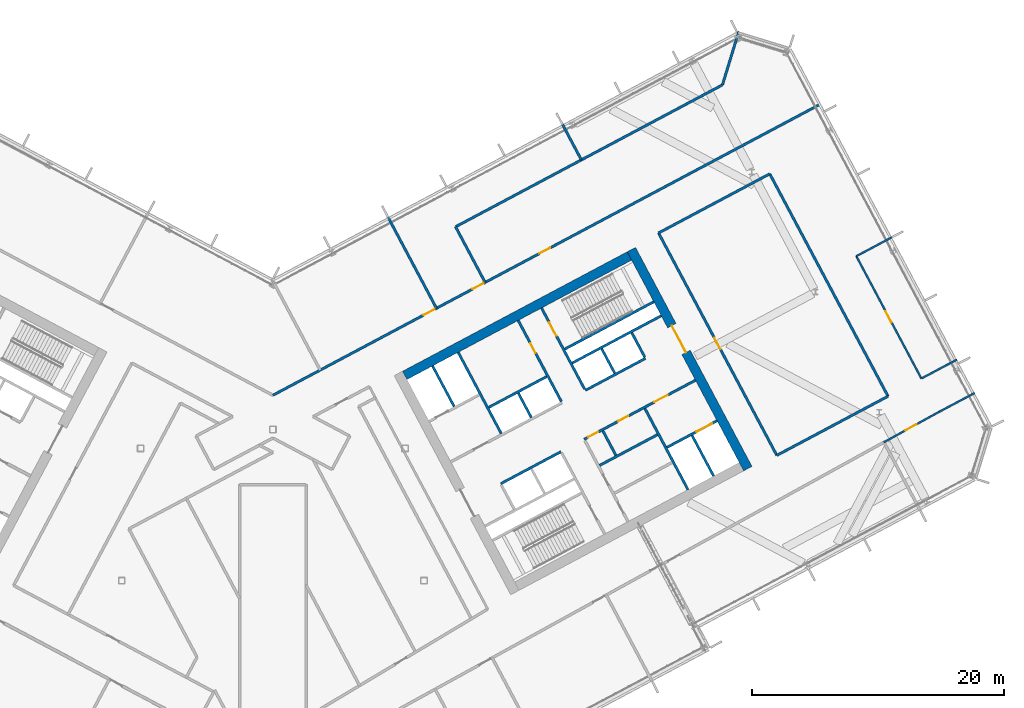
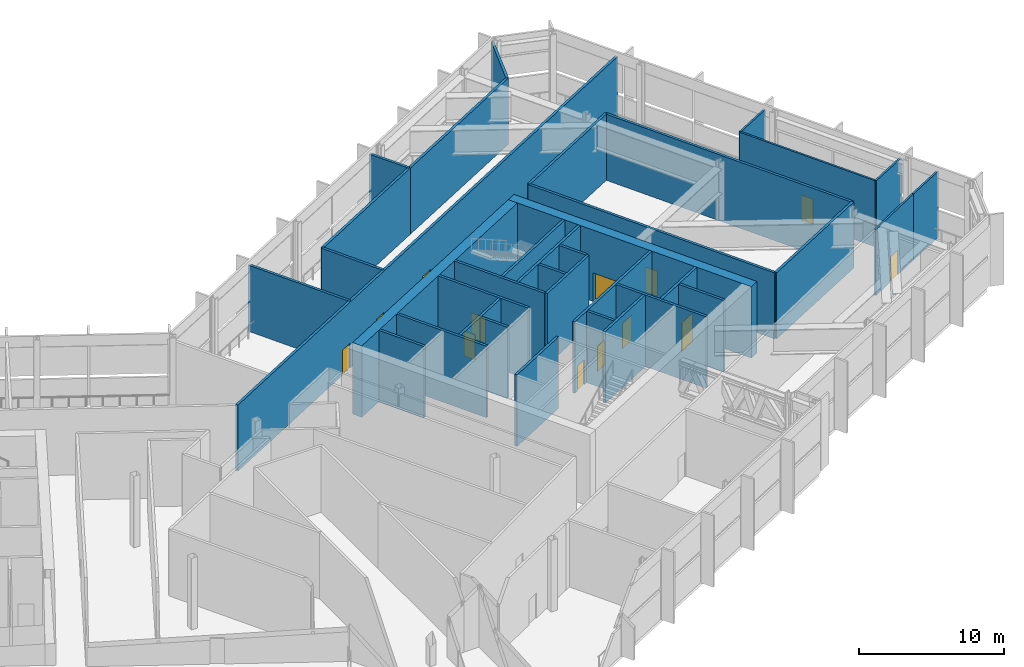
# One storey, part 17 of 33: 36 walls, 13 doors, 13 openings.
"""IFC4 building model written with IfcOpenShell, lengths in metres."""

from ifc_helpers import new_model, si_unit, direction, frame, frame_2d, origin, place, context, subcontext, project, spatial, rectangle, extrude, material, layer, layer_set, type_object, element, fill, save


model = new_model("IFC4")

# Units and contexts
model_context = context("Model", 3, precision=1e-05, world=origin(), true_north=direction((0.0, 1.0)))
body_context = subcontext(model_context, "Body", "Model", "MODEL_VIEW")
ifc_project = project(units=[si_unit("LENGTHUNIT", "METRE"), si_unit("AREAUNIT", "SQUARE_METRE"), si_unit("VOLUMEUNIT", "CUBIC_METRE"), si_unit("PLANEANGLEUNIT", "RADIAN"), si_unit("MASSUNIT", "GRAM", prefix="KILO")], contexts=[model_context])

# Site, building, storey
site_placement = place(None, origin())
site = spatial("IfcSite", under=ifc_project, at=site_placement, CompositionType="ELEMENT")
building_placement = place(site_placement, origin())
building = spatial("IfcBuilding", under=site, at=building_placement, Name="Cormorant Relay Tower", CompositionType="ELEMENT")
storey_placement = place(building_placement, frame((0.0, 0.0, 183.60009765625)))
storey = spatial("IfcBuildingStorey", under=building, at=storey_placement, Name="L39", CompositionType="ELEMENT", Elevation=183.60009765625)

# Walls
ifc_material_1 = material(Name="Concrete 40 MPa", Category="concrete")
ifc_layer_1 = layer(ifc_material_1, 0.199951171875)
ifc_layer_set_1 = layer_set([ifc_layer_1], Name="Core internal wall 200")
wall_type_1 = type_object("IfcWallType", Name="Core internal wall 200", PredefinedType="SOLIDWALL", material=ifc_layer_set_1)
for number, where, z_axis, x_axis, name in (
    (1, (20.522216796875, 12.950439453125, 0.0), (0.0, 0.0, 1.0), (-0.469401318492, 0.882984938828, 0.0), "L39 core B shaft and room wall"),
    (2, (27.236083984375, 9.951416015625, 0.0), (0.0, 0.0, 1.0), (-0.4694473164, 0.882960484464, 0.0), "L39 core B shaft and room wall"),
    (3, (27.144287109375, 16.471435546875, 0.0), (0.0, 0.0, 1.0), (-0.469401318492, 0.882984938828, 0.0), "L39 core B shaft and room wall"),
):
    element("IfcWall", number, at=place(storey_placement, frame(where, z_axis=z_axis, x_axis=x_axis)), inside=storey, type_object=wall_type_1, Name=name, PredefinedType="SOLIDWALL", context=body_context, shape_type="SweptSolid", body=[
        extrude(rectangle(XDim=2.199951171875, YDim=0.199951171875, at=frame_2d((1.10009765625, 0.0))), origin(), (0.0, 0.0, 1.0), 6.0),
    ])
ifc_material_2 = material(Name="Concrete 50 MPa", Category="concrete")
ifc_layer_2 = layer(ifc_material_2, 0.199951171875)
ifc_layer_set_2 = layer_set([ifc_layer_2], Name="Core shaft wall 200")
wall_type_2 = type_object("IfcWallType", Name="Core shaft wall 200", PredefinedType="SHEAR", material=ifc_layer_set_2)
wall_1_placement = place(storey_placement, frame((14.39404296875, 13.825927734375, 0.0), z_axis=(0.0, 0.0, 1.0), x_axis=(-0.469494272526, 0.882935517501, 0.0)))
element("IfcWall", 4, at=wall_1_placement, inside=storey, type_object=wall_type_2, Name="L39 core B shaft wall", PredefinedType="SHEAR", context=body_context, shape_type="SweptSolid", body=[
    extrude(rectangle(XDim=3.64990234375, YDim=0.199951171875, at=frame_2d((1.824951171875, 0.0))), origin(), (0.0, 0.0, 1.0), 6.0),
])
wall_2_placement = place(storey_placement, frame((18.138427734375, 11.682861328125, 0.0), z_axis=(0.0, 0.0, 1.0), x_axis=(-0.469480409012, 0.88294288918, 0.0)))
element("IfcWall", 5, at=wall_2_placement, inside=storey, type_object=wall_type_2, Name="L39 core B shaft wall", PredefinedType="SHEAR", context=body_context, shape_type="SweptSolid", body=[
    extrude(rectangle(XDim=7.300048828125, YDim=0.199951171875, at=frame_2d((3.64990234375, 0.0))), origin(), (0.0, 0.0, 1.0), 6.0),
])

# Wall, opening, door
wall_3_placement = place(storey_placement, frame((22.90625, 14.218017578125, 0.0), z_axis=(0.0, 0.0, 1.0), x_axis=(-0.469480409012, 0.88294288918, 0.0)))
wall_3 = element("IfcWall", 6, at=wall_3_placement, inside=storey, type_object=wall_type_2, Name="L39 core B shaft wall", PredefinedType="SHEAR", context=body_context, shape_type="SweptSolid", body=[
    extrude(rectangle(XDim=7.300048828125, YDim=0.199951171875, at=frame_2d((3.64990234375, 0.0))), origin(), (0.0, 0.0, 1.0), 6.0),
])
opening_1_placement = place(wall_3_placement, frame((4.35009765625, 0.0, 0.0)))
opening_1 = element("IfcOpeningElement", 7, at=opening_1_placement, cuts=wall_3, Name="Opening CDD-229", PredefinedType="OPENING", context=body_context, shape_type="SweptSolid", body=[
    extrude(rectangle(XDim=0.89990234375, YDim=2.10009765625, at=frame_2d((0.449951171875, 1.050048828125))), frame((0.0, 0.10986328125, 0.0), z_axis=(0.0, -1.0, 0.0), x_axis=(1.0, 0.0, 0.0)), (0.0, 0.0, 1.0), 0.219970703125),
])
ifc_material_3 = material(Name="Steel fire door", Category="steel")
door_type_1 = type_object("IfcDoorType", Name="Core room door 900x2100", OperationType="SINGLE_SWING_LEFT", PredefinedType="DOOR", material=ifc_material_3)
door_1_placement = place(opening_1_placement, frame((0.89990234375, 0.0, 0.0), z_axis=(0.0, 0.0, 1.0), x_axis=(-1.0, 0.0, 0.0)))
door_1 = element("IfcDoor", 8, at=door_1_placement, inside=storey, type_object=door_type_1, Name="Core room door 900x2100", OperationType="SINGLE_SWING_RIGHT", OverallHeight=2.10009765625, OverallWidth=0.89990234375, PredefinedType="DOOR", context=body_context, shape_type="SweptSolid", body=[
    extrude(rectangle(XDim=0.89990234375, YDim=2.10009765625, at=frame_2d((0.449951171875, 1.050048828125))), frame((0.0, 0.02490234375, 0.0), z_axis=(0.0, -1.0, 0.0), x_axis=(1.0, 0.0, 0.0)), (0.0, 0.0, 1.0), 0.050048828125),
])
fill(opening_1, door_1)

wall_4_placement = place(storey_placement, frame((24.760498046875, 15.2041015625, 0.0), z_axis=(0.0, 0.0, 1.0), x_axis=(-0.469494272526, 0.882935517501, 0.0)))
wall_4 = element("IfcWall", 9, at=wall_4_placement, inside=storey, type_object=wall_type_2, Name="L39 core B shaft wall", PredefinedType="SHEAR", context=body_context, shape_type="SweptSolid", body=[
    extrude(rectangle(XDim=7.2998046875, YDim=0.199951171875, at=frame_2d((3.64990234375, 0.0))), origin(), (0.0, 0.0, 1.0), 6.0),
])
opening_2_placement = place(wall_4_placement, frame((4.800048828125, 0.0, 0.0)))
opening_2 = element("IfcOpeningElement", 10, at=opening_2_placement, cuts=wall_4, Name="Opening CDB-032", PredefinedType="OPENING", context=body_context, shape_type="SweptSolid", body=[
    extrude(rectangle(XDim=1.199951171875, YDim=2.10009765625, at=frame_2d((0.60009765625, 1.050048828125))), frame((0.0, 0.10986328125, 0.0), z_axis=(0.0, -1.0, 0.0), x_axis=(1.0, 0.0, 0.0)), (0.0, 0.0, 1.0), 0.219970703125),
])
ifc_material_4 = material(Name="Steel fire door", Category="steel")
door_type_2 = type_object("IfcDoorType", Name="Core stair door 1200x2100", OperationType="SINGLE_SWING_LEFT", PredefinedType="DOOR", material=ifc_material_4)
door_2_placement = place(opening_2_placement, frame((1.199951171875, 0.0, 0.0), z_axis=(0.0, 0.0, 1.0), x_axis=(-1.0, 0.0, 0.0)))
door_2 = element("IfcDoor", 11, at=door_2_placement, inside=storey, type_object=door_type_2, Name="Core stair door 1200x2100", OperationType="SINGLE_SWING_RIGHT", OverallHeight=2.10009765625, OverallWidth=1.199951171875, PredefinedType="DOOR", context=body_context, shape_type="SweptSolid", body=[
    extrude(rectangle(XDim=1.199951171875, YDim=2.10009765625, at=frame_2d((0.60009765625, 1.050048828125))), frame((0.0, 0.02490234375, 0.0), z_axis=(0.0, -1.0, 0.0), x_axis=(1.0, 0.0, 0.0)), (0.0, 0.0, 1.0), 0.050048828125),
])
fill(opening_2, door_2)

# Walls
wall_5_placement = place(storey_placement, frame((32.968017578125, 7.222900390625, 0.0), z_axis=(0.0, 0.0, 1.0), x_axis=(-0.469480409012, 0.88294288918, 0.0)))
element("IfcWall", 12, at=wall_5_placement, inside=storey, type_object=wall_type_2, Name="L39 core B shaft wall", PredefinedType="SHEAR", context=body_context, shape_type="SweptSolid", body=[
    extrude(rectangle(XDim=7.300048828125, YDim=0.199951171875, at=frame_2d((3.64990234375, 0.0))), origin(), (0.0, 0.0, 1.0), 6.0),
])
wall_6_placement = place(storey_placement, frame((29.5283203125, 17.739013671875, 0.0), z_axis=(0.0, 0.0, 1.0), x_axis=(-0.469401318492, 0.882984938828, 0.0)))
element("IfcWall", 13, at=wall_6_placement, inside=storey, type_object=wall_type_2, Name="L39 core B shaft wall", PredefinedType="SHEAR", context=body_context, shape_type="SweptSolid", body=[
    extrude(rectangle(XDim=2.199951171875, YDim=0.199951171875, at=frame_2d((1.10009765625, 0.0))), origin(), (0.0, 0.0, 1.0), 6.0),
])
wall_7_placement = place(storey_placement, frame((34.998779296875, 8.302734375, 0.0), z_axis=(0.0, 0.0, 1.0), x_axis=(-0.4694665462, 0.882950260207, 0.0)))
element("IfcWall", 14, at=wall_7_placement, inside=storey, type_object=wall_type_2, Name="L39 core B shaft wall", PredefinedType="SHEAR", context=body_context, shape_type="SweptSolid", body=[
    extrude(rectangle(XDim=3.650146484375, YDim=0.199951171875, at=frame_2d((1.8251953125, 0.0))), origin(), (0.0, 0.0, 1.0), 6.0),
])

# Wall, opening, door
wall_8_placement = place(storey_placement, frame((31.295654296875, 10.5810546875, 0.0), z_axis=(0.0, 0.0, 1.0), x_axis=(0.882960433586, 0.469447412093, 0.0)))
wall_8 = element("IfcWall", 15, at=wall_8_placement, inside=storey, type_object=wall_type_2, Name="L39 core B shaft wall", PredefinedType="SHEAR", context=body_context, shape_type="SweptSolid", body=[
    extrude(rectangle(XDim=4.5, YDim=0.199951171875, at=frame_2d((2.25, 0.0))), origin(), (0.0, 0.0, 1.0), 6.0),
])
opening_3_placement = place(wall_8_placement, frame((2.64990234375, 0.0, 0.0)))
opening_3 = element("IfcOpeningElement", 16, at=opening_3_placement, cuts=wall_8, Name="Opening LD3-012", PredefinedType="OPENING", context=body_context, shape_type="SweptSolid", body=[
    extrude(rectangle(XDim=1.39990234375, YDim=2.39990234375, at=frame_2d((0.699951171875, 1.199951171875))), frame((0.0, 0.10986328125, 0.0), z_axis=(0.0, -1.0, 0.0), x_axis=(1.0, 0.0, 0.0)), (0.0, 0.0, 1.0), 0.219970703125),
])
ifc_material_5 = material(Name="Stainless steel 316", Category="steel")
door_type_3 = type_object("IfcDoorType", Name="Lift landing door 1400x2400", OperationType="DOUBLE_DOOR_SLIDING", PredefinedType="DOOR", material=ifc_material_5)
door_3_placement = place(opening_3_placement, origin())
door_3 = element("IfcDoor", 17, at=door_3_placement, inside=storey, type_object=door_type_3, Name="SV2 landing door", OperationType="DOUBLE_DOOR_SLIDING", OverallHeight=2.39990234375, OverallWidth=1.39990234375, PredefinedType="DOOR", context=body_context, shape_type="SweptSolid", body=[
    extrude(rectangle(XDim=1.39990234375, YDim=2.39990234375, at=frame_2d((0.699951171875, 1.199951171875))), frame((0.0, 0.02490234375, 0.0), z_axis=(0.0, -1.0, 0.0), x_axis=(1.0, 0.0, 0.0)), (0.0, 0.0, 1.0), 0.050048828125),
])
fill(opening_3, door_3)

# Walls
wall_9_placement = place(storey_placement, frame((25.94091796875, 9.149658203125, 0.0), z_axis=(0.0, 0.0, 1.0), x_axis=(0.882953967957, 0.469459572775, 0.0)))
element("IfcWall", 18, at=wall_9_placement, inside=storey, type_object=wall_type_2, Name="L39 core B shaft wall", PredefinedType="SHEAR", context=body_context, shape_type="SweptSolid", body=[
    extrude(rectangle(XDim=5.199951171875, YDim=0.199951171875, at=frame_2d((2.60009765625, 0.0))), origin(), (0.0, 0.0, 1.0), 6.0),
])
wall_10_placement = place(storey_placement, frame((18.103759765625, 7.70068359375, 0.0), z_axis=(0.0, 0.0, 1.0), x_axis=(0.882952937579, 0.469461510692, 0.0)))
element("IfcWall", 19, at=wall_10_placement, inside=storey, type_object=wall_type_2, Name="L39 core B shaft wall", PredefinedType="SHEAR", context=body_context, shape_type="SweptSolid", body=[
    extrude(rectangle(XDim=5.400146484375, YDim=0.199951171875, at=frame_2d((2.7001953125, 0.0))), origin(), (0.0, 0.0, 1.0), 6.0),
])

# Wall, openings, doors
wall_11_placement = place(storey_placement, frame((24.72607421875, 11.2216796875, 0.0), z_axis=(0.0, 0.0, 1.0), x_axis=(0.882940221191, 0.469485426614, 0.0)))
wall_11 = element("IfcWall", 20, at=wall_11_placement, inside=storey, type_object=wall_type_2, Name="L39 core B shaft wall", PredefinedType="SHEAR", context=body_context, shape_type="SweptSolid", body=[
    extrude(rectangle(XDim=10.0, YDim=0.199951171875, at=frame_2d((5.0, 0.0))), origin(), (0.0, 0.0, 1.0), 6.0),
])
opening_4_placement = place(wall_11_placement, frame((6.300048828125, 0.0, 0.0)))
opening_4 = element("IfcOpeningElement", 21, at=opening_4_placement, cuts=wall_11, Name="Opening CDC-024", PredefinedType="OPENING", context=body_context, shape_type="SweptSolid", body=[
    extrude(rectangle(XDim=1.199951171875, YDim=2.10009765625, at=frame_2d((0.60009765625, 1.050048828125))), frame((0.0, 0.10986328125, 0.0), z_axis=(0.0, -1.0, 0.0), x_axis=(1.0, 0.0, 0.0)), (0.0, 0.0, 1.0), 0.219970703125),
])
opening_5_placement = place(wall_11_placement, frame((0.360107421875, 0.0, 0.0)))
opening_5 = element("IfcOpeningElement", 22, at=opening_5_placement, cuts=wall_11, Name="Opening CDD-227", PredefinedType="OPENING", context=body_context, shape_type="SweptSolid", body=[
    extrude(rectangle(XDim=0.89990234375, YDim=2.10009765625, at=frame_2d((0.449951171875, 1.050048828125))), frame((0.0, 0.10986328125, 0.0), z_axis=(0.0, -1.0, 0.0), x_axis=(1.0, 0.0, 0.0)), (0.0, 0.0, 1.0), 0.219970703125),
])
opening_6_placement = place(wall_11_placement, frame((3.06005859375, 0.0, 0.0)))
opening_6 = element("IfcOpeningElement", 23, at=opening_6_placement, cuts=wall_11, Name="Opening CDD-228", PredefinedType="OPENING", context=body_context, shape_type="SweptSolid", body=[
    extrude(rectangle(XDim=0.89990234375, YDim=2.10009765625, at=frame_2d((0.449951171875, 1.050048828125))), frame((0.0, 0.10986328125, 0.0), z_axis=(0.0, -1.0, 0.0), x_axis=(1.0, 0.0, 0.0)), (0.0, 0.0, 1.0), 0.219970703125),
])
ifc_material_6 = material(Name="Steel fire door", Category="steel")
door_type_4 = type_object("IfcDoorType", Name="Core lobby door 1200x2100", OperationType="SINGLE_SWING_LEFT", PredefinedType="DOOR", material=ifc_material_6)
door_4_placement = place(opening_4_placement, frame((1.199951171875, 0.0, 0.0), z_axis=(0.0, 0.0, 1.0), x_axis=(-1.0, 0.0, 0.0)))
door_4 = element("IfcDoor", 24, at=door_4_placement, inside=storey, type_object=door_type_4, Name="Core lobby door 1200x2100", OperationType="SINGLE_SWING_RIGHT", OverallHeight=2.10009765625, OverallWidth=1.199951171875, PredefinedType="DOOR", context=body_context, shape_type="SweptSolid", body=[
    extrude(rectangle(XDim=1.199951171875, YDim=2.10009765625, at=frame_2d((0.60009765625, 1.050048828125))), frame((0.0, 0.02490234375, 0.0), z_axis=(0.0, -1.0, 0.0), x_axis=(1.0, 0.0, 0.0)), (0.0, 0.0, 1.0), 0.050048828125),
])
fill(opening_4, door_4)
door_5_placement = place(opening_5_placement, frame((0.89990234375, 0.0, 0.0), z_axis=(0.0, 0.0, 1.0), x_axis=(-1.0, 0.0, 0.0)))
door_5 = element("IfcDoor", 25, at=door_5_placement, inside=storey, type_object=door_type_1, Name="Core room door 900x2100", OperationType="SINGLE_SWING_RIGHT", OverallHeight=2.10009765625, OverallWidth=0.89990234375, PredefinedType="DOOR", context=body_context, shape_type="SweptSolid", body=[
    extrude(rectangle(XDim=0.89990234375, YDim=2.10009765625, at=frame_2d((0.449951171875, 1.050048828125))), frame((0.0, 0.02490234375, 0.0), z_axis=(0.0, -1.0, 0.0), x_axis=(1.0, 0.0, 0.0)), (0.0, 0.0, 1.0), 0.050048828125),
])
fill(opening_5, door_5)
door_6_placement = place(opening_6_placement, frame((0.89990234375, 0.0, 0.0), z_axis=(0.0, 0.0, 1.0), x_axis=(-1.0, 0.0, 0.0)))
door_6 = element("IfcDoor", 26, at=door_6_placement, inside=storey, type_object=door_type_1, Name="Core room door 900x2100", OperationType="SINGLE_SWING_RIGHT", OverallHeight=2.10009765625, OverallWidth=0.89990234375, PredefinedType="DOOR", context=body_context, shape_type="SweptSolid", body=[
    extrude(rectangle(XDim=0.89990234375, YDim=2.10009765625, at=frame_2d((0.449951171875, 1.050048828125))), frame((0.0, 0.02490234375, 0.0), z_axis=(0.0, -1.0, 0.0), x_axis=(1.0, 0.0, 0.0)), (0.0, 0.0, 1.0), 0.050048828125),
])
fill(opening_6, door_6)

# Walls
wall_12_placement = place(storey_placement, frame((24.807373046875, 15.11572265625, 0.0), z_axis=(0.0, 0.0, 1.0), x_axis=(0.882942972946, 0.469480251476, 0.0)))
element("IfcWall", 27, at=wall_12_placement, inside=storey, type_object=wall_type_2, Name="L39 core B shaft wall", PredefinedType="SHEAR", context=body_context, shape_type="SweptSolid", body=[
    extrude(rectangle(XDim=5.39990234375, YDim=0.199951171875, at=frame_2d((2.699951171875, 0.0))), origin(), (0.0, 0.0, 1.0), 6.0),
])
wall_13_placement = place(storey_placement, frame((17.146728515625, 13.7607421875, 0.0), z_axis=(0.0, 0.0, 1.0), x_axis=(0.882964314875, 0.469440111896, 0.0)))
element("IfcWall", 28, at=wall_13_placement, inside=storey, type_object=wall_type_2, Name="L39 core B shaft wall", PredefinedType="SHEAR", context=body_context, shape_type="SweptSolid", body=[
    extrude(rectangle(XDim=5.2001953125, YDim=0.199951171875, at=frame_2d((2.60009765625, 0.0))), origin(), (0.0, 0.0, 1.0), 6.0),
])
wall_14_placement = place(storey_placement, frame((23.76904296875, 17.28173828125, 0.0), z_axis=(0.0, 0.0, 1.0), x_axis=(0.882940221191, 0.469485426614, 0.0)))
element("IfcWall", 29, at=wall_14_placement, inside=storey, type_object=wall_type_2, Name="L39 core B shaft wall", PredefinedType="SHEAR", context=body_context, shape_type="SweptSolid", body=[
    extrude(rectangle(XDim=8.0, YDim=0.199951171875, at=frame_2d((4.0, 0.0))), origin(), (0.0, 0.0, 1.0), 6.0),
])
wall_15_placement = place(storey_placement, frame((23.18212890625, 18.385498046875, 0.0), z_axis=(0.0, 0.0, 1.0), x_axis=(0.88295287151, 0.469461634952, 0.0)))
element("IfcWall", 30, at=wall_15_placement, inside=storey, type_object=wall_type_2, Name="L39 core B shaft wall", PredefinedType="SHEAR", context=body_context, shape_type="SweptSolid", body=[
    extrude(rectangle(XDim=7.999755859375, YDim=0.199951171875, at=frame_2d((4.0, 0.0))), origin(), (0.0, 0.0, 1.0), 6.0),
])

# Wall, opening, door
ifc_material_7 = material(Name="Concrete 60 MPa", Category="concrete")
ifc_layer_3 = layer(ifc_material_7, 0.75)
ifc_layer_set_3 = layer_set([ifc_layer_3], Name="Core wall 750")
wall_type_3 = type_object("IfcWallType", Name="Core wall 750", PredefinedType="SHEAR", material=ifc_layer_set_3)
wall_16_placement = place(storey_placement, frame((37.712646484375, 8.896484375, 0.0), z_axis=(0.0, 0.0, 1.0), x_axis=(-0.469469918705, 0.88294846703, 0.0)))
wall_16 = element("IfcWall", 31, at=wall_16_placement, inside=storey, type_object=wall_type_3, Name="L39 core B wall", PredefinedType="SHEAR", context=body_context, shape_type="SweptSolid", body=[
    extrude(rectangle(XDim=19.699951171875, YDim=0.75, at=frame_2d((9.85009765625, 0.0))), origin(), (0.0, 0.0, 1.0), 6.0),
])
opening_7_placement = place(wall_16_placement, frame((10.449951171875, 0.0, 0.0)))
opening_7 = element("IfcOpeningElement", 32, at=opening_7_placement, cuts=wall_16, Name="Opening CDA-039", PredefinedType="OPENING", context=body_context, shape_type="SweptSolid", body=[
    extrude(rectangle(XDim=2.39990234375, YDim=2.39990234375, at=frame_2d((1.199951171875, 1.199951171875))), frame((0.0, 0.385009765625, 0.0), z_axis=(0.0, -1.0, 0.0), x_axis=(1.0, 0.0, 0.0)), (0.0, 0.0, 1.0), 0.77001953125),
])
ifc_material_8 = material(Name="Steel fire door", Category="steel")
door_type_5 = type_object("IfcDoorType", Name="Core lobby door 2400x2400", OperationType="DOUBLE_DOOR_SINGLE_SWING", PredefinedType="DOOR", material=ifc_material_8)
door_7_placement = place(opening_7_placement, origin())
door_7 = element("IfcDoor", 33, at=door_7_placement, inside=storey, type_object=door_type_5, Name="Core lobby door 2400x2400", OperationType="DOUBLE_DOOR_SINGLE_SWING", OverallHeight=2.39990234375, OverallWidth=2.39990234375, PredefinedType="DOOR", context=body_context, shape_type="SweptSolid", body=[
    extrude(rectangle(XDim=2.39990234375, YDim=2.39990234375, at=frame_2d((1.199951171875, 1.199951171875))), frame((0.0, 0.02490234375, 0.0), z_axis=(0.0, -1.0, 0.0), x_axis=(1.0, 0.0, 0.0)), (0.0, 0.0, 1.0), 0.050048828125),
])
fill(opening_7, door_7)

# Wall
wall_17_placement = place(storey_placement, frame((10.4736328125, 16.300048828125, 0.0), z_axis=(0.0, 0.0, 1.0), x_axis=(0.88295010195, 0.469466843842, 0.0)))
element("IfcWall", 34, at=wall_17_placement, inside=storey, type_object=wall_type_3, Name="L39 core B wall", PredefinedType="SHEAR", context=body_context, shape_type="SweptSolid", body=[
    extrude(rectangle(XDim=20.199951171875, YDim=0.75, at=frame_2d((10.10009765625, 0.0))), origin(), (0.0, 0.0, 1.0), 6.0),
])

# Wall, openings, doors
ifc_material_9 = material(Name="Fire-rated gypsum board partition")
ifc_layer_4 = layer(ifc_material_9, 0.199951171875)
ifc_layer_set_4 = layer_set([ifc_layer_4], Name="Fire-rated gypsum partition 200")
wall_type_4 = type_object("IfcWallType", Name="Fire-rated gypsum partition 200", PredefinedType="PARTITIONING", material=ifc_layer_set_4)
wall_18_placement = place(storey_placement, frame((0.0, 14.722900390625, 0.0), z_axis=(0.0, 0.0, 1.0), x_axis=(0.882950329887, 0.469466415149, 0.0)))
wall_18 = element("IfcWall", 35, at=wall_18_placement, inside=storey, type_object=wall_type_4, Name="wall/L39/part/15", PredefinedType="PARTITIONING", context=body_context, shape_type="SweptSolid", body=[
    extrude(rectangle(XDim=49.288330078125, YDim=0.199951171875, at=frame_2d((24.64404296875, 0.0))), origin(), (0.0, 0.0, 1.0), 5.5498046875),
])
opening_8_placement = place(wall_18_placement, frame((23.949951171875, 0.0, 0.0)))
opening_8 = element("IfcOpeningElement", 36, at=opening_8_placement, cuts=wall_18, Name="Opening FD1-162", PredefinedType="OPENING", context=body_context, shape_type="SweptSolid", body=[
    extrude(rectangle(XDim=1.0, YDim=2.10009765625, at=frame_2d((0.5, 1.050048828125))), frame((0.0, 0.10986328125, 0.0), z_axis=(0.0, -1.0, 0.0), x_axis=(1.0, 0.0, 0.0)), (0.0, 0.0, 1.0), 0.219970703125),
])
opening_9_placement = place(wall_18_placement, frame((17.949951171875, 0.0, 0.0)))
opening_9 = element("IfcOpeningElement", 37, at=opening_9_placement, cuts=wall_18, Name="Opening FD1-163", PredefinedType="OPENING", context=body_context, shape_type="SweptSolid", body=[
    extrude(rectangle(XDim=1.0, YDim=2.10009765625, at=frame_2d((0.5, 1.050048828125))), frame((0.0, 0.10986328125, 0.0), z_axis=(0.0, -1.0, 0.0), x_axis=(1.0, 0.0, 0.0)), (0.0, 0.0, 1.0), 0.219970703125),
])
opening_10_placement = place(wall_18_placement, frame((13.550048828125, 0.0, 0.0)))
opening_10 = element("IfcOpeningElement", 38, at=opening_10_placement, cuts=wall_18, Name="Opening FD1-164", PredefinedType="OPENING", context=body_context, shape_type="SweptSolid", body=[
    extrude(rectangle(XDim=1.0, YDim=2.10009765625, at=frame_2d((0.5, 1.050048828125))), frame((0.0, 0.10986328125, 0.0), z_axis=(0.0, -1.0, 0.0), x_axis=(1.0, 0.0, 0.0)), (0.0, 0.0, 1.0), 0.219970703125),
])
ifc_material_10 = material(Name="Fire-rated steel door", Category="steel")
door_type_6 = type_object("IfcDoorType", Name="Fire door 1000 x 2100", OperationType="SINGLE_SWING_LEFT", PredefinedType="DOOR", material=ifc_material_10)
door_8_placement = place(opening_8_placement, origin())
door_8 = element("IfcDoor", 39, at=door_8_placement, inside=storey, type_object=door_type_6, Name="door/L39/21", OperationType="SINGLE_SWING_LEFT", OverallHeight=2.10009765625, OverallWidth=1.0, PredefinedType="DOOR", context=body_context, shape_type="SweptSolid", body=[
    extrude(rectangle(XDim=1.0, YDim=2.10009765625, at=frame_2d((0.5, 1.050048828125))), frame((0.0, 0.02490234375, 0.0), z_axis=(0.0, -1.0, 0.0), x_axis=(1.0, 0.0, 0.0)), (0.0, 0.0, 1.0), 0.050048828125),
])
fill(opening_8, door_8)
door_9_placement = place(opening_9_placement, origin())
door_9 = element("IfcDoor", 40, at=door_9_placement, inside=storey, type_object=door_type_6, Name="door/L39/22", OperationType="SINGLE_SWING_RIGHT", OverallHeight=2.10009765625, OverallWidth=1.0, PredefinedType="DOOR", context=body_context, shape_type="SweptSolid", body=[
    extrude(rectangle(XDim=1.0, YDim=2.10009765625, at=frame_2d((0.5, 1.050048828125))), frame((0.0, 0.02490234375, 0.0), z_axis=(0.0, -1.0, 0.0), x_axis=(1.0, 0.0, 0.0)), (0.0, 0.0, 1.0), 0.050048828125),
])
fill(opening_9, door_9)
door_10_placement = place(opening_10_placement, origin())
door_10 = element("IfcDoor", 41, at=door_10_placement, inside=storey, type_object=door_type_6, Name="door/L39/23", OperationType="SINGLE_SWING_RIGHT", OverallHeight=2.10009765625, OverallWidth=1.0, PredefinedType="DOOR", context=body_context, shape_type="SweptSolid", body=[
    extrude(rectangle(XDim=1.0, YDim=2.10009765625, at=frame_2d((0.5, 1.050048828125))), frame((0.0, 0.02490234375, 0.0), z_axis=(0.0, -1.0, 0.0), x_axis=(1.0, 0.0, 0.0)), (0.0, 0.0, 1.0), 0.050048828125),
])
fill(opening_10, door_10)

# Walls
wall_19_placement = place(storey_placement, frame((9.139892578125, 28.8701171875, 0.0), z_axis=(0.0, 0.0, 1.0), x_axis=(0.46950928143, -0.882927536467, 0.0)))
element("IfcWall", 42, at=wall_19_placement, inside=storey, type_object=wall_type_4, Name="wall/L39/part/53", PredefinedType="PARTITIONING", context=body_context, shape_type="SweptSolid", body=[
    extrude(rectangle(XDim=8.2001953125, YDim=0.199951171875, at=frame_2d((4.10009765625, 0.0))), origin(), (0.0, 0.0, 1.0), 5.5498046875),
])
wall_20_placement = place(storey_placement, frame((14.507080078125, 28.10009765625, 0.0), z_axis=(0.0, 0.0, 1.0), x_axis=(0.469275799922, -0.883051653986, 0.0)))
element("IfcWall", 43, at=wall_20_placement, inside=storey, type_object=wall_type_4, Name="wall/L39/part/74", PredefinedType="PARTITIONING", context=body_context, shape_type="SweptSolid", body=[
    extrude(rectangle(XDim=4.98388671875, YDim=0.199951171875, at=frame_2d((2.491943359375, 0.0))), origin(), (0.0, 0.0, 1.0), 5.5498046875),
])
wall_21_placement = place(storey_placement, frame((14.506103515625, 28.09912109375, 0.0), z_axis=(0.0, 0.0, 1.0), x_axis=(0.882940729559, 0.469484470548, 0.0)))
element("IfcWall", 44, at=wall_21_placement, inside=storey, type_object=wall_type_4, Name="wall/L39/part/75", PredefinedType="PARTITIONING", context=body_context, shape_type="SweptSolid", body=[
    extrude(rectangle(XDim=11.31201171875, YDim=0.199951171875, at=frame_2d((5.656005859375, 0.0))), origin(), (0.0, 0.0, 1.0), 5.5498046875),
])
wall_22_placement = place(storey_placement, frame((22.990966796875, 36.235107421875, 0.0), z_axis=(0.0, 0.0, 1.0), x_axis=(0.469653460539, -0.882850852072, 0.0)))
element("IfcWall", 45, at=wall_22_placement, inside=storey, type_object=wall_type_4, Name="wall/L39/part/77", PredefinedType="PARTITIONING", context=body_context, shape_type="SweptSolid", body=[
    extrude(rectangle(XDim=3.2001953125, YDim=0.199951171875, at=frame_2d((1.60009765625, 0.0))), origin(), (0.0, 0.0, 1.0), 5.5498046875),
])
wall_23_placement = place(storey_placement, frame((24.493896484375, 33.409912109375, 0.0), z_axis=(0.0, 0.0, 1.0), x_axis=(0.882940274122, 0.46948532707, 0.0)))
element("IfcWall", 46, at=wall_23_placement, inside=storey, type_object=wall_type_4, Name="wall/L39/part/78", PredefinedType="PARTITIONING", context=body_context, shape_type="SweptSolid", body=[
    extrude(rectangle(XDim=12.6884765625, YDim=0.199951171875, at=frame_2d((6.34423828125, 0.0))), origin(), (0.0, 0.0, 1.0), 5.5498046875),
])
wall_24_placement = place(storey_placement, frame((35.697021484375, 39.366943359375, 0.0), z_axis=(0.0, 0.0, 1.0), x_axis=(0.292503752717, 0.956264374871, 0.0)))
element("IfcWall", 47, at=wall_24_placement, inside=storey, type_object=wall_type_4, Name="wall/L39/part/79", PredefinedType="PARTITIONING", context=body_context, shape_type="SweptSolid", body=[
    extrude(rectangle(XDim=4.4580078125, YDim=0.199951171875, at=frame_2d((2.22900390625, 0.0))), origin(), (0.0, 0.0, 1.0), 5.5498046875),
])
wall_25_placement = place(storey_placement, frame((30.623046875, 27.60791015625, 0.0), z_axis=(0.0, 0.0, 1.0), x_axis=(0.882940863385, 0.469484218867, 0.0)))
element("IfcWall", 48, at=wall_25_placement, inside=storey, type_object=wall_type_4, Name="wall/L39/part/90", PredefinedType="PARTITIONING", context=body_context, shape_type="SweptSolid", body=[
    extrude(rectangle(XDim=10.00048828125, YDim=0.199951171875, at=frame_2d((5.000244140625, 0.0))), origin(), (0.0, 0.0, 1.0), 5.5498046875),
])
wall_26_placement = place(storey_placement, frame((39.452880859375, 32.302978515625, 0.0), z_axis=(0.0, 0.0, 1.0), x_axis=(0.469461333319, -0.882953031887, 0.0)))
element("IfcWall", 49, at=wall_26_placement, inside=storey, type_object=wall_type_4, Name="wall/L39/part/91", PredefinedType="PARTITIONING", context=body_context, shape_type="SweptSolid", body=[
    extrude(rectangle(XDim=19.999755859375, YDim=0.199951171875, at=frame_2d((10.0, 0.0))), origin(), (0.0, 0.0, 1.0), 5.5498046875),
])
wall_27_placement = place(storey_placement, frame((48.842041015625, 14.64404296875, 0.0), z_axis=(0.0, 0.0, 1.0), x_axis=(-0.882924718888, -0.46951457994, 0.0)))
element("IfcWall", 50, at=wall_27_placement, inside=storey, type_object=wall_type_4, Name="wall/L39/part/92", PredefinedType="PARTITIONING", context=body_context, shape_type="SweptSolid", body=[
    extrude(rectangle(XDim=9.999755859375, YDim=0.199951171875, at=frame_2d((5.0, 0.0))), origin(), (0.0, 0.0, 1.0), 5.5498046875),
])

# Wall, opening, door
wall_28_placement = place(storey_placement, frame((40.012939453125, 9.948974609375, 0.0), z_axis=(0.0, 0.0, 1.0), x_axis=(-0.469489882812, 0.882937851685, 0.0)))
wall_28 = element("IfcWall", 51, at=wall_28_placement, inside=storey, type_object=wall_type_4, Name="wall/L39/part/93", PredefinedType="PARTITIONING", context=body_context, shape_type="SweptSolid", body=[
    extrude(rectangle(XDim=20.000244140625, YDim=0.199951171875, at=frame_2d((10.0, 0.0))), origin(), (0.0, 0.0, 1.0), 5.5498046875),
])
opening_11_placement = place(wall_28_placement, frame((9.550048828125, 0.0, 0.0)))
opening_11 = element("IfcOpeningElement", 52, at=opening_11_placement, cuts=wall_28, Name="Opening FD1-169", PredefinedType="OPENING", context=body_context, shape_type="SweptSolid", body=[
    extrude(rectangle(XDim=1.0, YDim=2.10009765625, at=frame_2d((0.5, 1.050048828125))), frame((0.0, 0.10986328125, 0.0), z_axis=(0.0, -1.0, 0.0), x_axis=(1.0, 0.0, 0.0)), (0.0, 0.0, 1.0), 0.219970703125),
])
door_11_placement = place(opening_11_placement, origin())
door_11 = element("IfcDoor", 53, at=door_11_placement, inside=storey, type_object=door_type_6, Name="door/L39/28", OperationType="SINGLE_SWING_RIGHT", OverallHeight=2.10009765625, OverallWidth=1.0, PredefinedType="DOOR", context=body_context, shape_type="SweptSolid", body=[
    extrude(rectangle(XDim=1.0, YDim=2.10009765625, at=frame_2d((0.5, 1.050048828125))), frame((0.0, 0.02490234375, 0.0), z_axis=(0.0, -1.0, 0.0), x_axis=(1.0, 0.0, 0.0)), (0.0, 0.0, 1.0), 0.050048828125),
])
fill(opening_11, door_11)

# Wall
ifc_material_11 = material(Name="Gypsum board partition")
ifc_layer_5 = layer(ifc_material_11, 0.14990234375)
ifc_layer_set_5 = layer_set([ifc_layer_5], Name="Gypsum board partition 150")
wall_type_5 = type_object("IfcWallType", Name="Gypsum board partition 150", PredefinedType="PARTITIONING", material=ifc_layer_set_5)
wall_29_placement = place(storey_placement, frame((55.72509765625, 14.905029296875, 0.0), z_axis=(0.0, 0.0, 1.0), x_axis=(-0.883102890865, -0.469179373105, 0.0)))
element("IfcWall", 54, at=wall_29_placement, inside=storey, type_object=wall_type_5, Name="wall/L39/part/82", PredefinedType="PARTITIONING", context=body_context, shape_type="SweptSolid", body=[
    extrude(rectangle(XDim=3.203369140625, YDim=0.14990234375, at=frame_2d((1.6015625, 0.0))), origin(), (0.0, 0.0, 1.0), 5.5498046875),
])

# Wall, opening, door
wall_30_placement = place(storey_placement, frame((48.51806640625, 10.993896484375, 0.0), z_axis=(0.0, 0.0, 1.0), x_axis=(0.875930982576, 0.482436434947, 0.0)))
wall_30 = element("IfcWall", 55, at=wall_30_placement, inside=storey, type_object=wall_type_5, Name="wall/L39/part/83", PredefinedType="PARTITIONING", context=body_context, shape_type="SweptSolid", body=[
    extrude(rectangle(XDim=4.995849609375, YDim=0.14990234375, at=frame_2d((2.498046875, 0.0))), origin(), (0.0, 0.0, 1.0), 5.5498046875),
])
opening_12_placement = place(wall_30_placement, frame((1.949951171875, 0.0, 0.0)))
opening_12 = element("IfcOpeningElement", 56, at=opening_12_placement, cuts=wall_30, Name="Opening D1-056", PredefinedType="OPENING", context=body_context, shape_type="SweptSolid", body=[
    extrude(rectangle(XDim=1.0, YDim=2.10009765625, at=frame_2d((0.5, 1.050048828125))), frame((0.0, 0.0849609375, 0.0), z_axis=(0.0, -1.0, 0.0), x_axis=(1.0, 0.0, 0.0)), (0.0, 0.0, 1.0), 0.169921875),
])
ifc_material_12 = material(Name="Painted steel door", Category="steel")
door_type_7 = type_object("IfcDoorType", Name="Single door 1000 x 2100", OperationType="SINGLE_SWING_LEFT", PredefinedType="DOOR", material=ifc_material_12)
door_12_placement = place(opening_12_placement, frame((1.0, 0.0, 0.0), z_axis=(0.0, 0.0, 1.0), x_axis=(-1.0, 0.0, 0.0)))
door_12 = element("IfcDoor", 57, at=door_12_placement, inside=storey, type_object=door_type_7, Name="door/L39/12", OperationType="SINGLE_SWING_RIGHT", OverallHeight=2.10009765625, OverallWidth=1.0, PredefinedType="DOOR", context=body_context, shape_type="SweptSolid", body=[
    extrude(rectangle(XDim=1.0, YDim=2.10009765625, at=frame_2d((0.5, 1.050048828125))), frame((0.0, 0.02490234375, 0.0), z_axis=(0.0, -1.0, 0.0), x_axis=(1.0, 0.0, 0.0)), (0.0, 0.0, 1.0), 0.050048828125),
])
fill(opening_12, door_12)

# Wall
wall_31_placement = place(storey_placement, frame((49.152099609375, 27.26806640625, 0.0), z_axis=(0.0, 0.0, 1.0), x_axis=(-0.882819217955, -0.469712921271, 0.0)))
element("IfcWall", 58, at=wall_31_placement, inside=storey, type_object=wall_type_5, Name="wall/L39/part/84", PredefinedType="PARTITIONING", context=body_context, shape_type="SweptSolid", body=[
    extrude(rectangle(XDim=3.2001953125, YDim=0.14990234375, at=frame_2d((1.60009765625, 0.0))), origin(), (0.0, 0.0, 1.0), 5.5498046875),
])

# Wall, opening, door
wall_32_placement = place(storey_placement, frame((46.326904296875, 25.764892578125, 0.0), z_axis=(0.0, 0.0, 1.0), x_axis=(0.469481924316, -0.882942083458, 0.0)))
wall_32 = element("IfcWall", 59, at=wall_32_placement, inside=storey, type_object=wall_type_5, Name="wall/L39/part/85", PredefinedType="PARTITIONING", context=body_context, shape_type="SweptSolid", body=[
    extrude(rectangle(XDim=10.99951171875, YDim=0.14990234375, at=frame_2d((5.499755859375, 0.0))), origin(), (0.0, 0.0, 1.0), 5.5498046875),
])
opening_13_placement = place(wall_32_placement, frame((4.949951171875, 0.0, 0.0)))
opening_13 = element("IfcOpeningElement", 60, at=opening_13_placement, cuts=wall_32, Name="Opening D1-058", PredefinedType="OPENING", context=body_context, shape_type="SweptSolid", body=[
    extrude(rectangle(XDim=1.0, YDim=2.10009765625, at=frame_2d((0.5, 1.050048828125))), frame((0.0, 0.0849609375, 0.0), z_axis=(0.0, -1.0, 0.0), x_axis=(1.0, 0.0, 0.0)), (0.0, 0.0, 1.0), 0.169921875),
])
door_13_placement = place(opening_13_placement, origin())
door_13 = element("IfcDoor", 61, at=door_13_placement, inside=storey, type_object=door_type_7, Name="door/L39/29", OperationType="SINGLE_SWING_LEFT", OverallHeight=2.10009765625, OverallWidth=1.0, PredefinedType="DOOR", context=body_context, shape_type="SweptSolid", body=[
    extrude(rectangle(XDim=1.0, YDim=2.10009765625, at=frame_2d((0.5, 1.050048828125))), frame((0.0, 0.02490234375, 0.0), z_axis=(0.0, -1.0, 0.0), x_axis=(1.0, 0.0, 0.0)), (0.0, 0.0, 1.0), 0.050048828125),
])
fill(opening_13, door_13)

# Wall
wall_33_placement = place(storey_placement, frame((51.490966796875, 16.052978515625, 0.0), z_axis=(0.0, 0.0, 1.0), x_axis=(0.882960556025, 0.469447181805, 0.0)))
element("IfcWall", 62, at=wall_33_placement, inside=storey, type_object=wall_type_5, Name="wall/L39/part/86", PredefinedType="PARTITIONING", context=body_context, shape_type="SweptSolid", body=[
    extrude(rectangle(XDim=3.199462890625, YDim=0.14990234375, at=frame_2d((1.599609375, 0.0))), origin(), (0.0, 0.0, 1.0), 5.5498046875),
])

save(model, "model.ifc")
